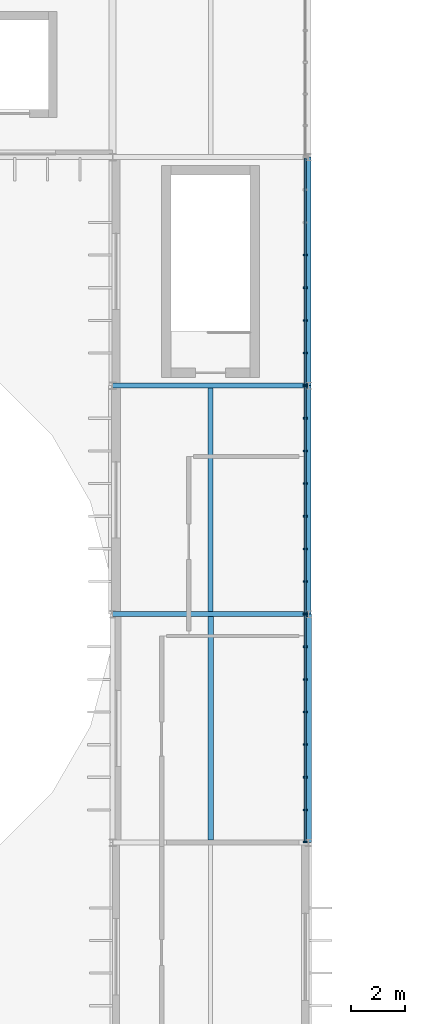
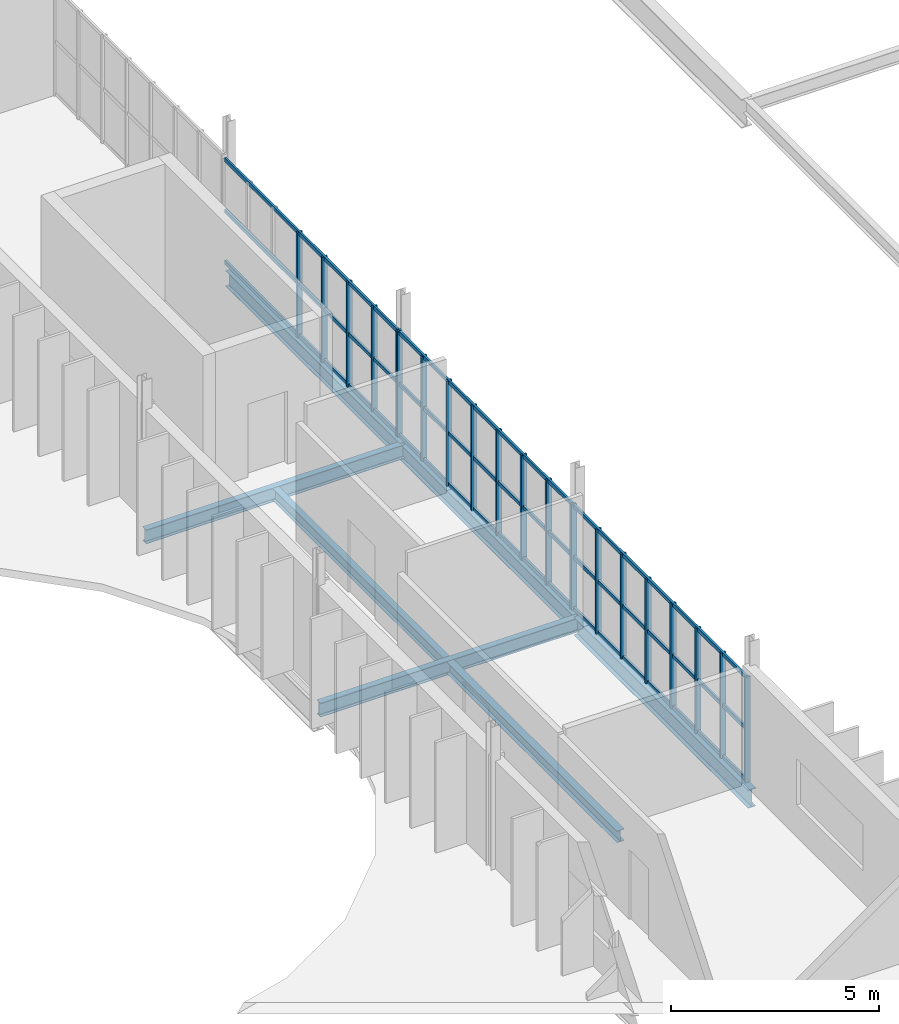
# One storey, part 8 of 18: 30 members, 7 beams, 3 elements without a shape of their own.
"""IFC4 building model written with IfcOpenShell, lengths in metres."""

from ifc_helpers import new_model, si_unit, direction, frame, origin, origin_2d, place, context, subcontext, project, spatial, rectangle, i_section, extrude, material, material_profile, profile_set, type_object, element, aggregate, save


model = new_model("IFC4")

# Units and contexts
model_context = context("Model", 3, precision=1e-05, world=origin(), true_north=direction((0.0, 1.0)))
body_context = subcontext(model_context, "Body", "Model", "MODEL_VIEW")
ifc_project = project(units=[si_unit("LENGTHUNIT", "METRE"), si_unit("AREAUNIT", "SQUARE_METRE"), si_unit("VOLUMEUNIT", "CUBIC_METRE"), si_unit("PLANEANGLEUNIT", "RADIAN"), si_unit("MASSUNIT", "GRAM", prefix="KILO")], contexts=[model_context])

# Site, building, storey
site_placement = place(None, origin())
site = spatial("IfcSite", under=ifc_project, at=site_placement, CompositionType="ELEMENT")
building_placement = place(site_placement, origin())
building = spatial("IfcBuilding", under=site, at=building_placement, Name="Qelthora Terrace Specialist Clinic", CompositionType="ELEMENT")
storey_placement = place(building_placement, frame((0.0, 0.0, 21.60009765625)))
storey = spatial("IfcBuildingStorey", under=building, at=storey_placement, Name="L05", CompositionType="ELEMENT", Elevation=21.60009765625)

# Beams
ifc_material_1 = material(Name="Steel S355", Category="steel")
ifc_material_profile_1 = material_profile(ifc_material_1, i_section(OverallWidth=0.178955078125, OverallDepth=0.409912109375, WebThickness=0.0087890625, FlangeThickness=0.014404296875, FilletRadius=0.011962890625, at=origin_2d()), Name="W410X67")
ifc_profile_set_1 = profile_set([ifc_material_profile_1], Name="Steel S355")
beam_type_1 = type_object("IfcBeamType", Name="BM-W410X67", PredefinedType="BEAM", material=ifc_profile_set_1)
for number, where, z_axis, x_axis, name in (
    (1, (36.0, 84.0, -0.455078125), (1.0, 0.0, 0.0), (0.0, 1.0, 0.0), "Girder BMX-L05-1312"),
    (2, (36.0, 92.39990234375, -0.455078125), (1.0, 0.0, 0.0), (0.0, 1.0, 0.0), "Girder BMX-L05-1314"),
):
    element("IfcBeam", number, at=place(storey_placement, frame(where, z_axis=z_axis, x_axis=x_axis)), inside=storey, type_object=beam_type_1, Name=name, PredefinedType="BEAM", context=body_context, shape_type="SweptSolid", body=[
        extrude(i_section(OverallWidth=0.178955078125, OverallDepth=0.409912109375, WebThickness=0.0087890625, FlangeThickness=0.014404296875, FilletRadius=0.011962890625, at=origin_2d()), origin(), (0.0, 0.0, 1.0), 7.199951171875),
    ])
ifc_material_profile_2 = material_profile(ifc_material_1, i_section(OverallWidth=0.19091796875, OverallDepth=0.4599609375, WebThickness=0.010009765625, FlangeThickness=0.01611328125, FilletRadius=0.012939453125, at=origin_2d()), Name="W460X82")
ifc_profile_set_2 = profile_set([ifc_material_profile_2], Name="Steel S355")
beam_type_2 = type_object("IfcBeamType", Name="BM-W460X82", PredefinedType="BEAM", material=ifc_profile_set_2)
beam_1_placement = place(storey_placement, frame((43.199951171875, 92.39990234375, -0.47998046875), z_axis=(0.0, 1.0, 0.0), x_axis=(-1.0, 0.0, 0.0)))
element("IfcBeam", 3, at=beam_1_placement, inside=storey, type_object=beam_type_2, Name="Girder BMY-L05-1368", PredefinedType="BEAM", context=body_context, shape_type="SweptSolid", body=[
    extrude(i_section(OverallWidth=0.19091796875, OverallDepth=0.4599609375, WebThickness=0.010009765625, FlangeThickness=0.01611328125, FilletRadius=0.012939453125, at=origin_2d()), origin(), (0.0, 0.0, 1.0), 8.400146484375),
])
ifc_material_profile_3 = material_profile(ifc_material_1, i_section(OverallWidth=0.193115234375, OverallDepth=0.466064453125, WebThickness=0.011474609375, FlangeThickness=0.01904296875, FilletRadius=0.012939453125, at=origin_2d()), Name="W460X97")
ifc_profile_set_3 = profile_set([ifc_material_profile_3], Name="Steel S355")
beam_type_3 = type_object("IfcBeamType", Name="BM-W460X97", PredefinedType="BEAM", material=ifc_profile_set_3)
beam_2_placement = place(storey_placement, frame((43.199951171875, 84.0, -0.483154296875), z_axis=(0.0, 1.0, 0.0), x_axis=(-1.0, 0.0, 0.0)))
element("IfcBeam", 4, at=beam_2_placement, inside=storey, type_object=beam_type_3, Name="Girder BMY-L05-1367", PredefinedType="BEAM", context=body_context, shape_type="SweptSolid", body=[
    extrude(i_section(OverallWidth=0.193115234375, OverallDepth=0.466064453125, WebThickness=0.011474609375, FlangeThickness=0.01904296875, FilletRadius=0.012939453125, at=origin_2d()), origin(), (0.0, 0.0, 1.0), 8.39990234375),
])
ifc_material_profile_4 = material_profile(ifc_material_1, i_section(OverallWidth=0.2099609375, OverallDepth=0.537109375, WebThickness=0.010986328125, FlangeThickness=0.017333984375, FilletRadius=0.013916015625, at=origin_2d()), Name="W530X101")
ifc_profile_set_4 = profile_set([ifc_material_profile_4], Name="Steel S355")
beam_type_4 = type_object("IfcBeamType", Name="BM-W530X101", PredefinedType="BEAM", material=ifc_profile_set_4)
beam_3_placement = place(storey_placement, frame((43.199951171875, 75.60009765625, -0.5185546875), z_axis=(0.0, 1.0, 0.0), x_axis=(-1.0, 0.0, 0.0)))
element("IfcBeam", 5, at=beam_3_placement, inside=storey, type_object=beam_type_4, Name="Girder BMY-L05-1366", PredefinedType="BEAM", context=body_context, shape_type="SweptSolid", body=[
    extrude(i_section(OverallWidth=0.2099609375, OverallDepth=0.537109375, WebThickness=0.010986328125, FlangeThickness=0.017333984375, FilletRadius=0.013916015625, at=origin_2d()), origin(), (0.0, 0.0, 1.0), 8.39990234375),
])

# Curtain wall, members
ifc_material_2 = material(Name="Aluminium anodized bronze", Category="aluminium")
curtain_wall_type = type_object("IfcCurtainWallType", Name="CW-NRS-L05", PredefinedType="NOTDEFINED", material=ifc_material_2)
curtain_wall_1_placement = place(storey_placement, origin())
curtain_wall_1 = element("IfcCurtainWall", 6, at=curtain_wall_1_placement, inside=storey, type_object=curtain_wall_type, Name="Curtain wall CW-L05-268", PredefinedType="NOTDEFINED")
ifc_material_profile_5 = material_profile(ifc_material_2, rectangle(XDim=0.06005859375, YDim=0.14990234375, at=origin_2d()), Name="CWM60X150")
ifc_profile_set_5 = profile_set([ifc_material_profile_5], Name="Aluminium anodized bronze")
member_type_1 = type_object("IfcMemberType", Name="CWM-60X150", PredefinedType="MULLION", material=ifc_profile_set_5)
member_1_placement = place(storey_placement, frame((43.080078125, 75.6201171875, 0.0), z_axis=(0.0, 0.0, 1.0), x_axis=(0.0, 1.0, 0.0)))
member_1 = element("IfcMember", 7, at=member_1_placement, type_object=member_type_1, Name="CW-L05-268 mullion 1", PredefinedType="MULLION", context=body_context, shape_type="SweptSolid", body=[
    extrude(rectangle(XDim=0.06005859375, YDim=0.14990234375, at=origin_2d()), origin(), (0.0, 0.0, 1.0), 3.0908203125),
])
member_2_placement = place(storey_placement, frame((43.080078125, 76.800048828125, 0.0), z_axis=(0.0, 0.0, 1.0), x_axis=(0.0, 1.0, 0.0)))
member_2 = element("IfcMember", 8, at=member_2_placement, type_object=member_type_1, Name="CW-L05-268 mullion 2", PredefinedType="MULLION", context=body_context, shape_type="SweptSolid", body=[
    extrude(rectangle(XDim=0.06005859375, YDim=0.14990234375, at=origin_2d()), origin(), (0.0, 0.0, 1.0), 3.0908203125),
])
member_3_placement = place(storey_placement, frame((43.080078125, 78.0, 0.0), z_axis=(0.0, 0.0, 1.0), x_axis=(0.0, 1.0, 0.0)))
member_3 = element("IfcMember", 9, at=member_3_placement, type_object=member_type_1, Name="CW-L05-268 mullion 3", PredefinedType="MULLION", context=body_context, shape_type="SweptSolid", body=[
    extrude(rectangle(XDim=0.06005859375, YDim=0.14990234375, at=origin_2d()), origin(), (0.0, 0.0, 1.0), 3.0908203125),
])
member_4_placement = place(storey_placement, frame((43.080078125, 79.199951171875, 0.0), z_axis=(0.0, 0.0, 1.0), x_axis=(0.0, 1.0, 0.0)))
member_4 = element("IfcMember", 10, at=member_4_placement, type_object=member_type_1, Name="CW-L05-268 mullion 4", PredefinedType="MULLION", context=body_context, shape_type="SweptSolid", body=[
    extrude(rectangle(XDim=0.06005859375, YDim=0.14990234375, at=origin_2d()), origin(), (0.0, 0.0, 1.0), 3.0908203125),
])
member_5_placement = place(storey_placement, frame((43.080078125, 80.39990234375, 0.0), z_axis=(0.0, 0.0, 1.0), x_axis=(0.0, 1.0, 0.0)))
member_5 = element("IfcMember", 11, at=member_5_placement, type_object=member_type_1, Name="CW-L05-268 mullion 5", PredefinedType="MULLION", context=body_context, shape_type="SweptSolid", body=[
    extrude(rectangle(XDim=0.06005859375, YDim=0.14990234375, at=origin_2d()), origin(), (0.0, 0.0, 1.0), 3.0908203125),
])
member_6_placement = place(storey_placement, frame((43.080078125, 81.60009765625, 0.0), z_axis=(0.0, 0.0, 1.0), x_axis=(0.0, 1.0, 0.0)))
member_6 = element("IfcMember", 12, at=member_6_placement, type_object=member_type_1, Name="CW-L05-268 mullion 6", PredefinedType="MULLION", context=body_context, shape_type="SweptSolid", body=[
    extrude(rectangle(XDim=0.06005859375, YDim=0.14990234375, at=origin_2d()), origin(), (0.0, 0.0, 1.0), 3.0908203125),
])
member_7_placement = place(storey_placement, frame((43.080078125, 82.800048828125, 0.0), z_axis=(0.0, 0.0, 1.0), x_axis=(0.0, 1.0, 0.0)))
member_7 = element("IfcMember", 13, at=member_7_placement, type_object=member_type_1, Name="CW-L05-268 mullion 7", PredefinedType="MULLION", context=body_context, shape_type="SweptSolid", body=[
    extrude(rectangle(XDim=0.06005859375, YDim=0.14990234375, at=origin_2d()), origin(), (0.0, 0.0, 1.0), 3.0908203125),
])
member_8_placement = place(storey_placement, frame((43.080078125, 83.97998046875, 0.0), z_axis=(0.0, 0.0, 1.0), x_axis=(0.0, 1.0, 0.0)))
member_8 = element("IfcMember", 14, at=member_8_placement, type_object=member_type_1, Name="CW-L05-268 mullion 8", PredefinedType="MULLION", context=body_context, shape_type="SweptSolid", body=[
    extrude(rectangle(XDim=0.06005859375, YDim=0.14990234375, at=origin_2d()), origin(), (0.0, 0.0, 1.0), 3.0908203125),
])

curtain_wall_2_placement = place(storey_placement, origin())
curtain_wall_2 = element("IfcCurtainWall", 15, at=curtain_wall_2_placement, inside=storey, type_object=curtain_wall_type, Name="Curtain wall CW-L05-269", PredefinedType="NOTDEFINED")
member_9_placement = place(storey_placement, frame((43.080078125, 84.02001953125, 0.0), z_axis=(0.0, 0.0, 1.0), x_axis=(0.0, 1.0, 0.0)))
member_9 = element("IfcMember", 16, at=member_9_placement, type_object=member_type_1, Name="CW-L05-269 mullion 1", PredefinedType="MULLION", context=body_context, shape_type="SweptSolid", body=[
    extrude(rectangle(XDim=0.06005859375, YDim=0.14990234375, at=origin_2d()), origin(), (0.0, 0.0, 1.0), 3.0908203125),
])
member_10_placement = place(storey_placement, frame((43.080078125, 85.199951171875, 0.0), z_axis=(0.0, 0.0, 1.0), x_axis=(0.0, 1.0, 0.0)))
member_10 = element("IfcMember", 17, at=member_10_placement, type_object=member_type_1, Name="CW-L05-269 mullion 2", PredefinedType="MULLION", context=body_context, shape_type="SweptSolid", body=[
    extrude(rectangle(XDim=0.06005859375, YDim=0.14990234375, at=origin_2d()), origin(), (0.0, 0.0, 1.0), 3.0908203125),
])
member_11_placement = place(storey_placement, frame((43.080078125, 86.39990234375, 0.0), z_axis=(0.0, 0.0, 1.0), x_axis=(0.0, 1.0, 0.0)))
member_11 = element("IfcMember", 18, at=member_11_placement, type_object=member_type_1, Name="CW-L05-269 mullion 3", PredefinedType="MULLION", context=body_context, shape_type="SweptSolid", body=[
    extrude(rectangle(XDim=0.06005859375, YDim=0.14990234375, at=origin_2d()), origin(), (0.0, 0.0, 1.0), 3.0908203125),
])
member_12_placement = place(storey_placement, frame((43.080078125, 87.60009765625, 0.0), z_axis=(0.0, 0.0, 1.0), x_axis=(0.0, 1.0, 0.0)))
member_12 = element("IfcMember", 19, at=member_12_placement, type_object=member_type_1, Name="CW-L05-269 mullion 4", PredefinedType="MULLION", context=body_context, shape_type="SweptSolid", body=[
    extrude(rectangle(XDim=0.06005859375, YDim=0.14990234375, at=origin_2d()), origin(), (0.0, 0.0, 1.0), 3.0908203125),
])
member_13_placement = place(storey_placement, frame((43.080078125, 88.800048828125, 0.0), z_axis=(0.0, 0.0, 1.0), x_axis=(0.0, 1.0, 0.0)))
member_13 = element("IfcMember", 20, at=member_13_placement, type_object=member_type_1, Name="CW-L05-269 mullion 5", PredefinedType="MULLION", context=body_context, shape_type="SweptSolid", body=[
    extrude(rectangle(XDim=0.06005859375, YDim=0.14990234375, at=origin_2d()), origin(), (0.0, 0.0, 1.0), 3.0908203125),
])
member_14_placement = place(storey_placement, frame((43.080078125, 90.0, 0.0), z_axis=(0.0, 0.0, 1.0), x_axis=(0.0, 1.0, 0.0)))
member_14 = element("IfcMember", 21, at=member_14_placement, type_object=member_type_1, Name="CW-L05-269 mullion 6", PredefinedType="MULLION", context=body_context, shape_type="SweptSolid", body=[
    extrude(rectangle(XDim=0.06005859375, YDim=0.14990234375, at=origin_2d()), origin(), (0.0, 0.0, 1.0), 3.0908203125),
])
member_15_placement = place(storey_placement, frame((43.080078125, 91.199951171875, 0.0), z_axis=(0.0, 0.0, 1.0), x_axis=(0.0, 1.0, 0.0)))
member_15 = element("IfcMember", 22, at=member_15_placement, type_object=member_type_1, Name="CW-L05-269 mullion 7", PredefinedType="MULLION", context=body_context, shape_type="SweptSolid", body=[
    extrude(rectangle(XDim=0.06005859375, YDim=0.14990234375, at=origin_2d()), origin(), (0.0, 0.0, 1.0), 3.0908203125),
])
member_16_placement = place(storey_placement, frame((43.080078125, 92.3798828125, 0.0), z_axis=(0.0, 0.0, 1.0), x_axis=(0.0, 1.0, 0.0)))
member_16 = element("IfcMember", 23, at=member_16_placement, type_object=member_type_1, Name="CW-L05-269 mullion 8", PredefinedType="MULLION", context=body_context, shape_type="SweptSolid", body=[
    extrude(rectangle(XDim=0.06005859375, YDim=0.14990234375, at=origin_2d()), origin(), (0.0, 0.0, 1.0), 3.0908203125),
])

curtain_wall_3_placement = place(storey_placement, origin())
curtain_wall_3 = element("IfcCurtainWall", 24, at=curtain_wall_3_placement, inside=storey, type_object=curtain_wall_type, Name="Curtain wall CW-L05-270", PredefinedType="NOTDEFINED")
member_17_placement = place(storey_placement, frame((43.080078125, 92.419921875, 0.0), z_axis=(0.0, 0.0, 1.0), x_axis=(0.0, 1.0, 0.0)))
member_17 = element("IfcMember", 25, at=member_17_placement, type_object=member_type_1, Name="CW-L05-270 mullion 1", PredefinedType="MULLION", context=body_context, shape_type="SweptSolid", body=[
    extrude(rectangle(XDim=0.06005859375, YDim=0.14990234375, at=origin_2d()), origin(), (0.0, 0.0, 1.0), 3.0908203125),
])
member_18_placement = place(storey_placement, frame((43.080078125, 93.60009765625, 0.0), z_axis=(0.0, 0.0, 1.0), x_axis=(0.0, 1.0, 0.0)))
member_18 = element("IfcMember", 26, at=member_18_placement, type_object=member_type_1, Name="CW-L05-270 mullion 2", PredefinedType="MULLION", context=body_context, shape_type="SweptSolid", body=[
    extrude(rectangle(XDim=0.06005859375, YDim=0.14990234375, at=origin_2d()), origin(), (0.0, 0.0, 1.0), 3.0908203125),
])
member_19_placement = place(storey_placement, frame((43.080078125, 94.800048828125, 0.0), z_axis=(0.0, 0.0, 1.0), x_axis=(0.0, 1.0, 0.0)))
member_19 = element("IfcMember", 27, at=member_19_placement, type_object=member_type_1, Name="CW-L05-270 mullion 3", PredefinedType="MULLION", context=body_context, shape_type="SweptSolid", body=[
    extrude(rectangle(XDim=0.06005859375, YDim=0.14990234375, at=origin_2d()), origin(), (0.0, 0.0, 1.0), 3.0908203125),
])
member_20_placement = place(storey_placement, frame((43.080078125, 96.0, 0.0), z_axis=(0.0, 0.0, 1.0), x_axis=(0.0, 1.0, 0.0)))
member_20 = element("IfcMember", 28, at=member_20_placement, type_object=member_type_1, Name="CW-L05-270 mullion 4", PredefinedType="MULLION", context=body_context, shape_type="SweptSolid", body=[
    extrude(rectangle(XDim=0.06005859375, YDim=0.14990234375, at=origin_2d()), origin(), (0.0, 0.0, 1.0), 3.0908203125),
])
member_21_placement = place(storey_placement, frame((43.080078125, 97.199951171875, 0.0), z_axis=(0.0, 0.0, 1.0), x_axis=(0.0, 1.0, 0.0)))
member_21 = element("IfcMember", 29, at=member_21_placement, type_object=member_type_1, Name="CW-L05-270 mullion 5", PredefinedType="MULLION", context=body_context, shape_type="SweptSolid", body=[
    extrude(rectangle(XDim=0.06005859375, YDim=0.14990234375, at=origin_2d()), origin(), (0.0, 0.0, 1.0), 3.0908203125),
])

# Member
ifc_material_profile_6 = material_profile(ifc_material_2, rectangle(XDim=0.06005859375, YDim=0.110107421875, at=origin_2d()), Name="CWT60X110")
ifc_profile_set_6 = profile_set([ifc_material_profile_6], Name="Aluminium anodized bronze")
member_type_2 = type_object("IfcMemberType", Name="CWT-60X110", PredefinedType="USERDEFINED", material=ifc_profile_set_6)
member_22_placement = place(storey_placement, frame((43.080078125, 75.639892578125, 0.039794921875), z_axis=(0.0, 1.0, 0.0), x_axis=(-1.0, 0.0, 0.0)))
member_22 = element("IfcMember", 30, at=member_22_placement, type_object=member_type_2, Name="CW-L05-268 transom 1", ObjectType="TRANSOM", PredefinedType="USERDEFINED", context=body_context, shape_type="SweptSolid", body=[
    extrude(rectangle(XDim=0.06005859375, YDim=0.110107421875, at=origin_2d()), origin(), (0.0, 0.0, 1.0), 8.320068359375),
])

member_23_placement = place(storey_placement, frame((43.080078125, 75.639892578125, 1.54541015625), z_axis=(0.0, 1.0, 0.0), x_axis=(-1.0, 0.0, 0.0)))
member_23 = element("IfcMember", 31, at=member_23_placement, type_object=member_type_2, Name="CW-L05-268 transom 2", ObjectType="TRANSOM", PredefinedType="USERDEFINED", context=body_context, shape_type="SweptSolid", body=[
    extrude(rectangle(XDim=0.06005859375, YDim=0.110107421875, at=origin_2d()), origin(), (0.0, 0.0, 1.0), 8.320068359375),
])

member_24_placement = place(storey_placement, frame((43.080078125, 75.639892578125, 3.05078125), z_axis=(0.0, 1.0, 0.0), x_axis=(-1.0, 0.0, 0.0)))
member_24 = element("IfcMember", 32, at=member_24_placement, type_object=member_type_2, Name="CW-L05-268 transom 3", ObjectType="TRANSOM", PredefinedType="USERDEFINED", context=body_context, shape_type="SweptSolid", body=[
    extrude(rectangle(XDim=0.06005859375, YDim=0.110107421875, at=origin_2d()), origin(), (0.0, 0.0, 1.0), 8.320068359375),
])

aggregate(curtain_wall_1, [member_1, member_2, member_3, member_4, member_5, member_6, member_7, member_8, member_22, member_23, member_24])

member_25_placement = place(storey_placement, frame((43.080078125, 84.0400390625, 0.039794921875), z_axis=(0.0, 1.0, 0.0), x_axis=(-1.0, 0.0, 0.0)))
member_25 = element("IfcMember", 33, at=member_25_placement, type_object=member_type_2, Name="CW-L05-269 transom 1", ObjectType="TRANSOM", PredefinedType="USERDEFINED", context=body_context, shape_type="SweptSolid", body=[
    extrude(rectangle(XDim=0.06005859375, YDim=0.110107421875, at=origin_2d()), origin(), (0.0, 0.0, 1.0), 8.320068359375),
])

member_26_placement = place(storey_placement, frame((43.080078125, 84.0400390625, 1.54541015625), z_axis=(0.0, 1.0, 0.0), x_axis=(-1.0, 0.0, 0.0)))
member_26 = element("IfcMember", 34, at=member_26_placement, type_object=member_type_2, Name="CW-L05-269 transom 2", ObjectType="TRANSOM", PredefinedType="USERDEFINED", context=body_context, shape_type="SweptSolid", body=[
    extrude(rectangle(XDim=0.06005859375, YDim=0.110107421875, at=origin_2d()), origin(), (0.0, 0.0, 1.0), 8.320068359375),
])

member_27_placement = place(storey_placement, frame((43.080078125, 84.0400390625, 3.05078125), z_axis=(0.0, 1.0, 0.0), x_axis=(-1.0, 0.0, 0.0)))
member_27 = element("IfcMember", 35, at=member_27_placement, type_object=member_type_2, Name="CW-L05-269 transom 3", ObjectType="TRANSOM", PredefinedType="USERDEFINED", context=body_context, shape_type="SweptSolid", body=[
    extrude(rectangle(XDim=0.06005859375, YDim=0.110107421875, at=origin_2d()), origin(), (0.0, 0.0, 1.0), 8.320068359375),
])

aggregate(curtain_wall_2, [member_9, member_10, member_11, member_12, member_13, member_14, member_15, member_16, member_25, member_26, member_27])

member_28_placement = place(storey_placement, frame((43.080078125, 92.43994140625, 0.039794921875), z_axis=(0.0, 1.0, 0.0), x_axis=(-1.0, 0.0, 0.0)))
member_28 = element("IfcMember", 36, at=member_28_placement, type_object=member_type_2, Name="CW-L05-270 transom 1", ObjectType="TRANSOM", PredefinedType="USERDEFINED", context=body_context, shape_type="SweptSolid", body=[
    extrude(rectangle(XDim=0.06005859375, YDim=0.110107421875, at=origin_2d()), origin(), (0.0, 0.0, 1.0), 8.320068359375),
])

member_29_placement = place(storey_placement, frame((43.080078125, 92.43994140625, 1.54541015625), z_axis=(0.0, 1.0, 0.0), x_axis=(-1.0, 0.0, 0.0)))
member_29 = element("IfcMember", 37, at=member_29_placement, type_object=member_type_2, Name="CW-L05-270 transom 2", ObjectType="TRANSOM", PredefinedType="USERDEFINED", context=body_context, shape_type="SweptSolid", body=[
    extrude(rectangle(XDim=0.06005859375, YDim=0.110107421875, at=origin_2d()), origin(), (0.0, 0.0, 1.0), 8.320068359375),
])

member_30_placement = place(storey_placement, frame((43.080078125, 92.43994140625, 3.05078125), z_axis=(0.0, 1.0, 0.0), x_axis=(-1.0, 0.0, 0.0)))
member_30 = element("IfcMember", 38, at=member_30_placement, type_object=member_type_2, Name="CW-L05-270 transom 3", ObjectType="TRANSOM", PredefinedType="USERDEFINED", context=body_context, shape_type="SweptSolid", body=[
    extrude(rectangle(XDim=0.06005859375, YDim=0.110107421875, at=origin_2d()), origin(), (0.0, 0.0, 1.0), 8.320068359375),
])

aggregate(curtain_wall_3, [member_17, member_18, member_19, member_20, member_21, member_28, member_29, member_30])

# Beams
ifc_material_profile_7 = material_profile(ifc_material_1, i_section(OverallWidth=0.172119140625, OverallDepth=0.35791015625, WebThickness=0.0078125, FlangeThickness=0.01318359375, FilletRadius=0.010986328125, at=origin_2d()), Name="W360X57")
ifc_profile_set_7 = profile_set([ifc_material_profile_7], Name="Steel S355")
beam_type_5 = type_object("IfcBeamType", Name="JST-W360X57", PredefinedType="JOIST", material=ifc_profile_set_7)
beam_4_placement = place(storey_placement, frame((39.60009765625, 84.089599609375, -0.42919921875), z_axis=(0.0, 1.0, 0.0), x_axis=(-1.0, 0.0, 0.0)))
element("IfcBeam", 39, at=beam_4_placement, inside=storey, type_object=beam_type_5, Name="Composite floor joist JST-L05-0296", PredefinedType="JOIST", context=body_context, shape_type="SweptSolid", body=[
    extrude(i_section(OverallWidth=0.172119140625, OverallDepth=0.35791015625, WebThickness=0.0078125, FlangeThickness=0.01318359375, FilletRadius=0.010986328125, at=origin_2d()), origin(), (0.0, 0.0, 1.0), 8.220947265625),
])
ifc_material_profile_8 = material_profile(ifc_material_1, i_section(OverallWidth=0.202880859375, OverallDepth=0.346923828125, WebThickness=0.0078125, FlangeThickness=0.013427734375, FilletRadius=0.010986328125, at=origin_2d()), Name="W360X64")
ifc_profile_set_8 = profile_set([ifc_material_profile_8], Name="Steel S355")
beam_type_6 = type_object("IfcBeamType", Name="JST-W360X64", PredefinedType="JOIST", material=ifc_profile_set_8)
beam_5_placement = place(storey_placement, frame((39.60009765625, 75.695556640625, -0.423583984375), z_axis=(0.0, 1.0, 0.0), x_axis=(-1.0, 0.0, 0.0)))
element("IfcBeam", 40, at=beam_5_placement, inside=storey, type_object=beam_type_6, Name="Composite floor joist JST-L05-0295", PredefinedType="JOIST", context=body_context, shape_type="SweptSolid", body=[
    extrude(i_section(OverallWidth=0.202880859375, OverallDepth=0.346923828125, WebThickness=0.0078125, FlangeThickness=0.013427734375, FilletRadius=0.010986328125, at=origin_2d()), origin(), (0.0, 0.0, 1.0), 8.21484375),
])

save(model, "model.ifc")
